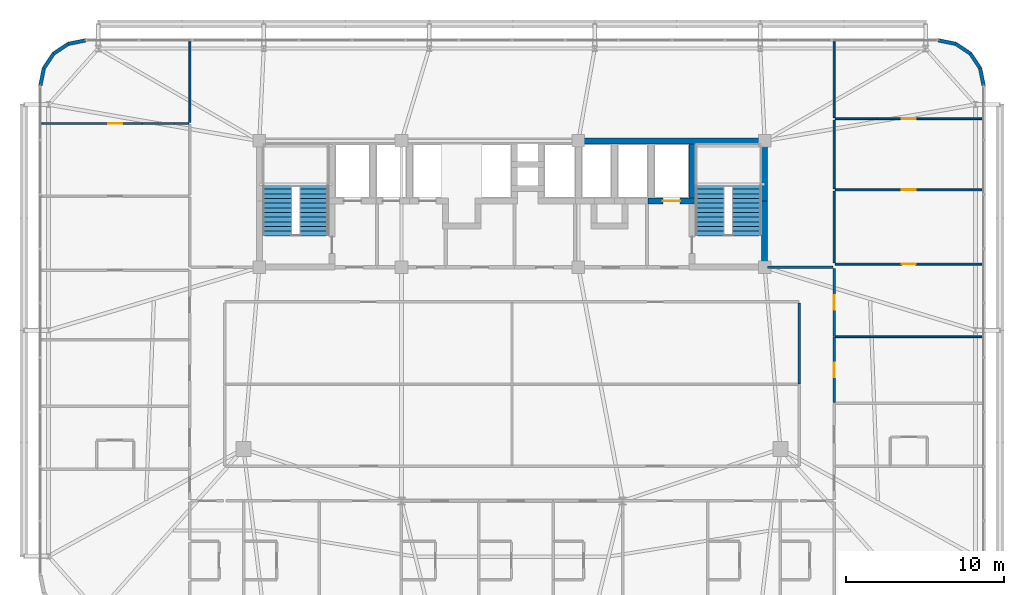
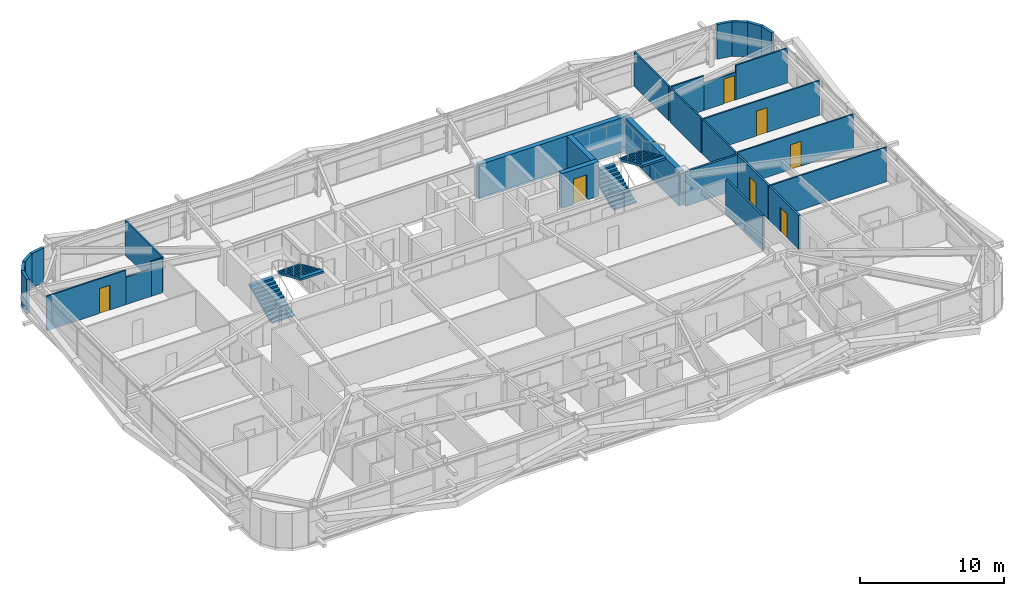
# One storey, part 56 of 59: 30 walls, 7 doors, 4 stair flights, 7 openings, 2 elements without a shape of their own.
"""IFC4 building model written with IfcOpenShell, lengths in metres."""

from ifc_helpers import new_model, si_unit, direction, frame, frame_2d, origin, place, context, subcontext, project, spatial, polyline, rectangle, outline, extrude, source, transform, mapped, material, layer, layer_set, type_object, element, fill, aggregate, save


model = new_model("IFC4")

# Units and contexts
model_context = context("Model", 3, precision=1e-05, world=origin(), true_north=direction((0.0, 1.0)))
body_context = subcontext(model_context, "Body", "Model", "MODEL_VIEW")
ifc_project = project(units=[si_unit("LENGTHUNIT", "METRE"), si_unit("AREAUNIT", "SQUARE_METRE"), si_unit("VOLUMEUNIT", "CUBIC_METRE"), si_unit("PLANEANGLEUNIT", "RADIAN"), si_unit("MASSUNIT", "GRAM", prefix="KILO")], contexts=[model_context])

# Site, building, storey
site_placement = place(None, origin())
site = spatial("IfcSite", under=ifc_project, at=site_placement, CompositionType="ELEMENT")
building_placement = place(site_placement, origin())
building = spatial("IfcBuilding", under=site, at=building_placement, Name="Taldren Reach Tower", CompositionType="ELEMENT")
storey_placement = place(building_placement, frame((0.0, 0.0, 19.949951171875)))
storey = spatial("IfcBuildingStorey", under=building, at=storey_placement, Name="L05", CompositionType="ELEMENT", Elevation=19.949951171875)

# Walls
ifc_material_1 = material(Name="Pale Champagne Anodised Aluminium Cladding", Category="aluminium")
ifc_layer_1 = layer(ifc_material_1, 0.04, Name="Pale Champagne Anodised Aluminium Cladding", Category="aluminium")
ifc_material_2 = material(Name="Mineral Wool Acoustic Insulation", Category="insulation")
ifc_layer_2 = layer(ifc_material_2, 0.06, Name="Mineral Wool Acoustic Insulation", Category="insulation")
ifc_material_3 = material(Name="Steel Gr 350 (C350L0)", Category="steel")
ifc_layer_3 = layer(ifc_material_3, 0.12, Name="Steel Gr 350 (C350L0)", Category="steel")
ifc_layer_set_1 = layer_set([ifc_layer_1, ifc_layer_2, ifc_layer_3], Name="Pale Champagne Aluminium Cladding and Steel Gr 350 Stud Framing")
wall_type_1 = type_object("IfcWallType", Name="EW-CRN-220", PredefinedType="SOLIDWALL", material=ifc_layer_set_1)
shared_shape_1 = source(origin(), body_context, "Body", "SweptSolid", [
    extrude(rectangle(XDim=1.115966796875, YDim=0.219970703125, at=frame_2d((0.55810546875, 0.0))), origin(), (0.0, 0.0, 1.0), 2.929931640625),
])
for number, where, z_axis, x_axis, name in (
    (1, (64.860107421875, 35.5, 0.0), (0.0, 0.0, 1.0), (-0.195148375659, 0.98077373103, 0.0), "Rounded-corner pale-metal facade wall L05-NE1"),
    (2, (64.642333984375, 36.594482421875, 0.0), (0.0, 0.0, 1.0), (-0.555709556774, 0.83137650226, 0.0), "Rounded-corner pale-metal facade wall L05-NE2"),
    (3, (64.022216796875, 37.522216796875, 0.0), (0.0, 0.0, 1.0), (-0.83137650226, 0.555709556774, 0.0), "Rounded-corner pale-metal facade wall L05-NE3"),
    (4, (63.094482421875, 38.142333984375, 0.0), (0.0, 0.0, 1.0), (-0.98077373103, 0.195148375659, 0.0), "Rounded-corner pale-metal facade wall L05-NE4"),
    (5, (8.0, 38.360107421875, 0.0), (0.0, 0.0, 1.0), (-0.98077373103, -0.195148375659, 0.0), "Rounded-corner pale-metal facade wall L05-NW1"),
    (6, (6.905517578125, 38.142333984375, 0.0), (0.0, 0.0, 1.0), (-0.83137650226, -0.555709556774, 0.0), "Rounded-corner pale-metal facade wall L05-NW2"),
    (7, (5.977783203125, 37.522216796875, 0.0), (0.0, 0.0, 1.0), (-0.555709556774, -0.83137650226, 0.0), "Rounded-corner pale-metal facade wall L05-NW3"),
    (8, (5.357666015625, 36.594482421875, 0.0), (0.0, 0.0, 1.0), (-0.195148375659, -0.98077373103, 0.0), "Rounded-corner pale-metal facade wall L05-NW4"),
):
    element("IfcWall", number, at=place(storey_placement, frame(where, z_axis=z_axis, x_axis=x_axis)), inside=storey, type_object=wall_type_1, Name=name, PredefinedType="SOLIDWALL", context=body_context, shape_type="MappedRepresentation", body=[
        mapped(shared_shape_1, transform((0.0, 0.0, 0.0), scale=1.0)),
    ])
ifc_material_4 = material(Name="Concrete S80 (80 MPa)", Category="concrete")
ifc_layer_4 = layer(ifc_material_4, 0.3798828125)
ifc_layer_set_2 = layer_set([ifc_layer_4], Name="Concrete S80 (80 MPa)")
wall_type_2 = type_object("IfcWallType", Name="IW-CORE-380", PredefinedType="SHEAR", material=ifc_layer_set_2)
shared_shape_2 = source(origin(), body_context, "Body", "SweptSolid", [
    extrude(rectangle(XDim=11.989990234375, YDim=0.3798828125, at=frame_2d((5.9951171875, 0.0))), origin(), (0.0, 0.0, 1.0), 2.929931640625),
])
wall_1_placement = place(storey_placement, frame((39.199951171875, 32.0, 0.0), z_axis=(0.0, 0.0, 1.0), x_axis=(1.0, 0.0, 0.0)))
element("IfcWall", 9, at=wall_1_placement, inside=storey, type_object=wall_type_2, Name="Rear Core Shear Wall W-CORE-L05-NORTH3", PredefinedType="SHEAR", context=body_context, shape_type="MappedRepresentation", body=[
    mapped(shared_shape_2, transform((0.0, 0.0, 0.0), scale=1.0)),
])
shared_shape_3 = source(origin(), body_context, "Body", "SweptSolid", [
    extrude(rectangle(XDim=4.010009765625, YDim=0.3798828125, at=frame_2d((2.0048828125, 0.0))), origin(), (0.0, 0.0, 1.0), 2.929931640625),
])
wall_2_placement = place(storey_placement, frame((51.0, 24.18994140625, 0.0), z_axis=(0.0, 0.0, 1.0), x_axis=(0.0, 1.0, 0.0)))
element("IfcWall", 10, at=wall_2_placement, inside=storey, type_object=wall_type_2, Name="Rear Core Shear Wall W-CORE-L05-EAST1", PredefinedType="SHEAR", context=body_context, shape_type="MappedRepresentation", body=[
    mapped(shared_shape_3, transform((0.0, 0.0, 0.0), scale=1.0)),
])
shared_shape_4 = source(origin(), body_context, "Body", "SweptSolid", [
    extrude(rectangle(XDim=3.610107421875, YDim=0.3798828125, at=frame_2d((1.80517578125, 0.0))), origin(), (0.0, 0.0, 1.0), 2.929931640625),
])
wall_3_placement = place(storey_placement, frame((51.0, 28.199951171875, 0.0), z_axis=(0.0, 0.0, 1.0), x_axis=(0.0, 1.0, 0.0)))
element("IfcWall", 11, at=wall_3_placement, inside=storey, type_object=wall_type_2, Name="Rear Core Shear Wall W-CORE-L05-EAST2", PredefinedType="SHEAR", context=body_context, shape_type="MappedRepresentation", body=[
    mapped(shared_shape_4, transform((0.0, 0.0, 0.0), scale=1.0)),
])
shared_shape_5 = source(origin(), body_context, "Body", "SweptSolid", [
    extrude(rectangle(XDim=3.420166015625, YDim=0.3798828125, at=frame_2d((1.7099609375, 0.0))), origin(), (0.0, 0.0, 1.0), 2.929931640625),
])
wall_4_placement = place(storey_placement, frame((46.39990234375, 31.81005859375, 0.0), z_axis=(0.0, 0.0, 1.0), x_axis=(0.0, -1.0, 0.0)))
element("IfcWall", 12, at=wall_4_placement, inside=storey, type_object=wall_type_2, Name="Rear Core Shear Wall W-INT-L05-008", PredefinedType="SHEAR", context=body_context, shape_type="MappedRepresentation", body=[
    mapped(shared_shape_5, transform((0.0, 0.0, 0.0), scale=1.0)),
])

# Wall, opening, door
shared_shape_6 = source(origin(), body_context, "Body", "SweptSolid", [
    extrude(rectangle(XDim=2.97998046875, YDim=0.3798828125, at=frame_2d((1.489990234375, 0.0))), origin(), (0.0, 0.0, 1.0), 2.929931640625),
])
wall_5_placement = place(storey_placement, frame((43.610107421875, 28.199951171875, 0.0), z_axis=(0.0, 0.0, 1.0), x_axis=(1.0, 0.0, 0.0)))
wall_5 = element("IfcWall", 13, at=wall_5_placement, inside=storey, type_object=wall_type_2, Name="Rear Core Shear Wall W-INT-L05-011", PredefinedType="SHEAR", context=body_context, shape_type="MappedRepresentation", body=[
    mapped(shared_shape_6, transform((0.0, 0.0, 0.0), scale=1.0)),
])
shared_shape_7 = source(origin(), body_context, "Body", "SweptSolid", [
    extrude(rectangle(XDim=1.10009765625, YDim=2.14990234375, at=frame_2d((0.550048828125, 1.074951171875))), frame((0.0, 0.199951171875, 0.0), z_axis=(0.0, -1.0, 0.0), x_axis=(1.0, 0.0, 0.0)), (0.0, 0.0, 1.0), 0.39990234375),
])
opening_1_placement = place(wall_5_placement, frame((0.93994140625, 0.0, 0.0)))
opening_1 = element("IfcOpeningElement", 14, at=opening_1_placement, cuts=wall_5, Name="Opening LD-FL2", PredefinedType="OPENING", context=body_context, shape_type="MappedRepresentation", body=[
    mapped(shared_shape_7, transform((0.0, 0.0, 0.0), scale=1.0)),
])
ifc_material_5 = material(Name="Stainless Steel Gr 316 Emergency Lift Landing Door", Category="steel")
door_type_1 = type_object("IfcDoorType", Name="LD-EMG-110", OperationType="SLIDING_TO_LEFT", PredefinedType="DOOR", material=ifc_material_5)
shared_shape_8 = source(origin(), body_context, "Body", "SweptSolid", [
    extrude(rectangle(XDim=1.10009765625, YDim=2.14990234375, at=frame_2d((0.550048828125, 1.074951171875))), frame((0.0, 0.02490234375, 0.0), z_axis=(0.0, -1.0, 0.0), x_axis=(1.0, 0.0, 0.0)), (0.0, 0.0, 1.0), 0.050048828125),
])
door_1_placement = place(opening_1_placement, origin())
door_1 = element("IfcDoor", 15, at=door_1_placement, inside=storey, type_object=door_type_1, Name="Lift Landing Door LD-FL2-L05", OperationType="SLIDING_TO_LEFT", OverallHeight=2.14990234375, OverallWidth=1.10009765625, PredefinedType="DOOR", context=body_context, shape_type="MappedRepresentation", body=[
    mapped(shared_shape_8, transform((0.0, 0.0, 0.0), scale=1.0)),
])
fill(opening_1, door_1)

# Walls
ifc_material_6 = material(Name="Fire-Rated Acoustic Plasterboard Stud Wall", Category="gypsum")
ifc_layer_5 = layer(ifc_material_6, 0.159912109375)
ifc_layer_set_3 = layer_set([ifc_layer_5], Name="Fire-Rated Acoustic Plasterboard Stud Wall")
wall_type_3 = type_object("IfcWallType", Name="IW-FIRE-160", PredefinedType="PARTITIONING", material=ifc_layer_set_3)
shared_shape_9 = source(origin(), body_context, "Body", "SweptSolid", [
    extrude(rectangle(XDim=4.130126953125, YDim=0.159912109375, at=frame_2d((2.06494140625, 0.0))), origin(), (0.0, 0.0, 1.0), 2.929931640625),
])
wall_6_placement = place(storey_placement, frame((51.18994140625, 24.0, 0.0), z_axis=(0.0, 0.0, 1.0), x_axis=(1.0, 0.0, 0.0)))
element("IfcWall", 16, at=wall_6_placement, inside=storey, type_object=wall_type_3, Name="Interior Partition Wall W-INT-L05-064", PredefinedType="PARTITIONING", context=body_context, shape_type="MappedRepresentation", body=[
    mapped(shared_shape_9, transform((0.0, 0.0, 0.0), scale=1.0)),
])
shared_shape_10 = source(origin(), body_context, "Body", "SweptSolid", [
    extrude(rectangle(XDim=5.099853515625, YDim=0.159912109375, at=frame_2d((2.5498046875, 0.0))), origin(), (0.0, 0.0, 1.0), 2.929931640625),
])
wall_7_placement = place(storey_placement, frame((53.199951171875, 16.6201171875, 0.0), z_axis=(0.0, 0.0, 1.0), x_axis=(0.0, 1.0, 0.0)))
element("IfcWall", 17, at=wall_7_placement, inside=storey, type_object=wall_type_3, Name="Interior Partition Wall W-INT-L05-052", PredefinedType="PARTITIONING", context=body_context, shape_type="MappedRepresentation", body=[
    mapped(shared_shape_10, transform((0.0, 0.0, 0.0), scale=1.0)),
])

# Wall, opening, door
shared_shape_11 = source(origin(), body_context, "Body", "SweptSolid", [
    extrude(rectangle(XDim=4.15966796875, YDim=0.159912109375, at=frame_2d((2.079833984375, 0.0))), origin(), (0.0, 0.0, 1.0), 2.929931640625),
])
wall_8_placement = place(storey_placement, frame((55.39990234375, 19.579833984375, 0.0), z_axis=(0.0, 0.0, 1.0), x_axis=(0.0, -1.0, 0.0)))
wall_8 = element("IfcWall", 18, at=wall_8_placement, inside=storey, type_object=wall_type_3, Name="Interior Partition Wall W-INT-L05-061", PredefinedType="PARTITIONING", context=body_context, shape_type="MappedRepresentation", body=[
    mapped(shared_shape_11, transform((0.0, 0.0, 0.0), scale=1.0)),
])
shared_shape_12 = source(origin(), body_context, "Body", "SweptSolid", [
    extrude(rectangle(XDim=0.919921875, YDim=2.10009765625, at=frame_2d((0.4599609375, 1.050048828125))), frame((0.0, 0.08984375, 0.0), z_axis=(0.0, -1.0, 0.0), x_axis=(1.0, 0.0, 0.0)), (0.0, 0.0, 1.0), 0.179931640625),
])
opening_2_placement = place(wall_8_placement, frame((1.619873046875, 0.0, 0.0)))
opening_2 = element("IfcOpeningElement", 19, at=opening_2_placement, cuts=wall_8, Name="Opening DI-092", PredefinedType="OPENING", context=body_context, shape_type="MappedRepresentation", body=[
    mapped(shared_shape_12, transform((0.0, 0.0, 0.0), scale=1.0)),
])
ifc_material_7 = material(Name="Solid-Core Timber Suite Door", Category="wood")
door_type_2 = type_object("IfcDoorType", Name="ID-INT-092", OperationType="NOTDEFINED", PredefinedType="DOOR", material=ifc_material_7)
shared_shape_13 = source(origin(), body_context, "Body", "SweptSolid", [
    extrude(rectangle(XDim=0.919921875, YDim=2.10009765625, at=frame_2d((0.4599609375, 1.050048828125))), frame((0.0, 0.02490234375, 0.0), z_axis=(0.0, -1.0, 0.0), x_axis=(1.0, 0.0, 0.0)), (0.0, 0.0, 1.0), 0.050048828125),
])
door_2_placement = place(opening_2_placement, origin())
door_2 = element("IfcDoor", 20, at=door_2_placement, inside=storey, type_object=door_type_2, Name="Interior Door DR-L05-019", OperationType="SINGLE_SWING_RIGHT", OverallHeight=2.10009765625, OverallWidth=0.919921875, PredefinedType="DOOR", context=body_context, shape_type="MappedRepresentation", body=[
    mapped(shared_shape_13, transform((0.0, 0.0, 0.0), scale=1.0)),
])
fill(opening_2, door_2)

shared_shape_14 = source(origin(), body_context, "Body", "SweptSolid", [
    extrude(rectangle(XDim=4.2998046875, YDim=0.159912109375, at=frame_2d((2.14990234375, 0.0))), origin(), (0.0, 0.0, 1.0), 2.929931640625),
])
wall_9_placement = place(storey_placement, frame((55.39990234375, 23.919921875, 0.0), z_axis=(0.0, 0.0, 1.0), x_axis=(0.0, -1.0, 0.0)))
wall_9 = element("IfcWall", 21, at=wall_9_placement, inside=storey, type_object=wall_type_3, Name="Interior Partition Wall W-INT-L05-062", PredefinedType="PARTITIONING", context=body_context, shape_type="MappedRepresentation", body=[
    mapped(shared_shape_14, transform((0.0, 0.0, 0.0), scale=1.0)),
])
opening_3_placement = place(wall_9_placement, frame((1.68994140625, 0.0, 0.0)))
opening_3 = element("IfcOpeningElement", 22, at=opening_3_placement, cuts=wall_9, Name="Opening DI-092", PredefinedType="OPENING", context=body_context, shape_type="MappedRepresentation", body=[
    mapped(shared_shape_12, transform((0.0, 0.0, 0.0), scale=1.0)),
])
door_3_placement = place(opening_3_placement, origin())
door_3 = element("IfcDoor", 23, at=door_3_placement, inside=storey, type_object=door_type_2, Name="Interior Door DR-L05-020", OperationType="SINGLE_SWING_LEFT", OverallHeight=2.10009765625, OverallWidth=0.919921875, PredefinedType="DOOR", context=body_context, shape_type="MappedRepresentation", body=[
    mapped(shared_shape_13, transform((0.0, 0.0, 0.0), scale=1.0)),
])
fill(opening_3, door_3)

# Wall
ifc_material_8 = material(Name="Insulated Residential Stud Partition", Category="gypsum")
ifc_layer_6 = layer(ifc_material_8, 0.1201171875)
ifc_layer_set_4 = layer_set([ifc_layer_6], Name="Insulated Residential Stud Partition")
wall_type_4 = type_object("IfcWallType", Name="IW-PART-120", PredefinedType="PARTITIONING", material=ifc_layer_set_4)
shared_shape_15 = source(origin(), body_context, "Body", "SweptSolid", [
    extrude(rectangle(XDim=9.2900390625, YDim=0.1201171875, at=frame_2d((4.64501953125, 0.0))), origin(), (0.0, 0.0, 1.0), 2.929931640625),
])
wall_10_placement = place(storey_placement, frame((55.47998046875, 19.60009765625, 0.0), z_axis=(0.0, 0.0, 1.0), x_axis=(1.0, 0.0, 0.0)))
element("IfcWall", 24, at=wall_10_placement, inside=storey, type_object=wall_type_4, Name="Interior Partition Wall W-INT-L05-146", PredefinedType="PARTITIONING", context=body_context, shape_type="MappedRepresentation", body=[
    mapped(shared_shape_15, transform((0.0, 0.0, 0.0), scale=1.0)),
])

# Wall, opening, door
wall_11_placement = place(storey_placement, frame((55.47998046875, 24.199951171875, 0.0), z_axis=(0.0, 0.0, 1.0), x_axis=(1.0, 0.0, 0.0)))
wall_11 = element("IfcWall", 25, at=wall_11_placement, inside=storey, type_object=wall_type_4, Name="Interior Partition Wall W-INT-L05-147", PredefinedType="PARTITIONING", context=body_context, shape_type="MappedRepresentation", body=[
    mapped(shared_shape_15, transform((0.0, 0.0, 0.0), scale=1.0)),
])
shared_shape_16 = source(origin(), body_context, "Body", "SweptSolid", [
    extrude(rectangle(XDim=0.860107421875, YDim=2.10009765625, at=frame_2d((0.43017578125, 1.050048828125))), frame((0.0, 0.070068359375, 0.0), z_axis=(0.0, -1.0, 0.0), x_axis=(1.0, 0.0, 0.0)), (0.0, 0.0, 1.0), 0.14013671875),
])
opening_4_placement = place(wall_11_placement, frame((4.215087890625, 0.0, 0.0)))
opening_4 = element("IfcOpeningElement", 26, at=opening_4_placement, cuts=wall_11, Name="Opening DI-086", PredefinedType="OPENING", context=body_context, shape_type="MappedRepresentation", body=[
    mapped(shared_shape_16, transform((0.0, 0.0, 0.0), scale=1.0)),
])
ifc_material_9 = material(Name="Timber Bathroom Door", Category="wood")
door_type_3 = type_object("IfcDoorType", Name="ID-INT-086", OperationType="NOTDEFINED", PredefinedType="DOOR", material=ifc_material_9)
shared_shape_17 = source(origin(), body_context, "Body", "SweptSolid", [
    extrude(rectangle(XDim=0.860107421875, YDim=2.10009765625, at=frame_2d((0.43017578125, 1.050048828125))), frame((0.0, 0.02490234375, 0.0), z_axis=(0.0, -1.0, 0.0), x_axis=(1.0, 0.0, 0.0)), (0.0, 0.0, 1.0), 0.050048828125),
])
door_4_placement = place(opening_4_placement, frame((0.860107421875, 0.0, 0.0), z_axis=(0.0, 0.0, 1.0), x_axis=(-1.0, 0.0, 0.0)))
door_4 = element("IfcDoor", 27, at=door_4_placement, inside=storey, type_object=door_type_3, Name="Interior Door DR-L05-043", OperationType="SINGLE_SWING_LEFT", OverallHeight=2.10009765625, OverallWidth=0.860107421875, PredefinedType="DOOR", context=body_context, shape_type="MappedRepresentation", body=[
    mapped(shared_shape_17, transform((0.0, 0.0, 0.0), scale=1.0)),
])
fill(opening_4, door_4)

wall_12_placement = place(storey_placement, frame((55.47998046875, 28.89990234375, 0.0), z_axis=(0.0, 0.0, 1.0), x_axis=(1.0, 0.0, 0.0)))
wall_12 = element("IfcWall", 28, at=wall_12_placement, inside=storey, type_object=wall_type_4, Name="Interior Partition Wall W-INT-L05-148", PredefinedType="PARTITIONING", context=body_context, shape_type="MappedRepresentation", body=[
    mapped(shared_shape_15, transform((0.0, 0.0, 0.0), scale=1.0)),
])
opening_5_placement = place(wall_12_placement, frame((4.215087890625, 0.0, 0.0)))
opening_5 = element("IfcOpeningElement", 29, at=opening_5_placement, cuts=wall_12, Name="Opening DI-086", PredefinedType="OPENING", context=body_context, shape_type="MappedRepresentation", body=[
    mapped(shared_shape_16, transform((0.0, 0.0, 0.0), scale=1.0)),
])
door_5_placement = place(opening_5_placement, origin())
door_5 = element("IfcDoor", 30, at=door_5_placement, inside=storey, type_object=door_type_3, Name="Interior Door DR-L05-044", OperationType="SINGLE_SWING_LEFT", OverallHeight=2.10009765625, OverallWidth=0.860107421875, PredefinedType="DOOR", context=body_context, shape_type="MappedRepresentation", body=[
    mapped(shared_shape_17, transform((0.0, 0.0, 0.0), scale=1.0)),
])
fill(opening_5, door_5)

shared_shape_18 = source(origin(), body_context, "Body", "SweptSolid", [
    extrude(rectangle(XDim=6.365478515625, YDim=0.1201171875, at=frame_2d((3.1826171875, 0.0))), origin(), (0.0, 0.0, 1.0), 2.929931640625),
])
wall_13_placement = place(storey_placement, frame((5.22998046875, 33.10009765625, 0.0), z_axis=(0.0, 0.0, 1.0), x_axis=(1.0, 0.0, 0.0)))
wall_13 = element("IfcWall", 31, at=wall_13_placement, inside=storey, type_object=wall_type_4, Name="Interior Partition Wall W-INT-L05-136", PredefinedType="PARTITIONING", context=body_context, shape_type="MappedRepresentation", body=[
    mapped(shared_shape_18, transform((0.0, 0.0, 0.0), scale=1.0)),
])
opening_6_placement = place(wall_13_placement, frame((4.215087890625, 0.0, 0.0)))
opening_6 = element("IfcOpeningElement", 32, at=opening_6_placement, cuts=wall_13, Name="Opening DI-086", PredefinedType="OPENING", context=body_context, shape_type="MappedRepresentation", body=[
    mapped(shared_shape_16, transform((0.0, 0.0, 0.0), scale=1.0)),
])
door_6_placement = place(opening_6_placement, frame((0.860107421875, 0.0, 0.0), z_axis=(0.0, 0.0, 1.0), x_axis=(-1.0, 0.0, 0.0)))
door_6 = element("IfcDoor", 33, at=door_6_placement, inside=storey, type_object=door_type_3, Name="Interior Door DR-L05-042", OperationType="SINGLE_SWING_RIGHT", OverallHeight=2.10009765625, OverallWidth=0.860107421875, PredefinedType="DOOR", context=body_context, shape_type="MappedRepresentation", body=[
    mapped(shared_shape_17, transform((0.0, 0.0, 0.0), scale=1.0)),
])
fill(opening_6, door_6)

# Walls
shared_shape_19 = source(origin(), body_context, "Body", "SweptSolid", [
    extrude(rectangle(XDim=2.03955078125, YDim=0.1201171875, at=frame_2d((1.019775390625, 0.0))), origin(), (0.0, 0.0, 1.0), 2.328125),
])
wall_14_placement = place(storey_placement, frame((11.595458984375, 33.10009765625, 0.0), z_axis=(0.0, 0.0, 1.0), x_axis=(1.0, 0.0, 0.0)))
element("IfcWall", 34, at=wall_14_placement, inside=storey, type_object=wall_type_4, Name="Interior Partition Wall W-INT-L05-136 part 2", PredefinedType="PARTITIONING", context=body_context, shape_type="MappedRepresentation", body=[
    mapped(shared_shape_19, transform((0.0, 0.0, 0.0), scale=1.0)),
])
shared_shape_20 = source(origin(), body_context, "Body", "SweptSolid", [
    extrude(rectangle(XDim=0.885009765625, YDim=0.1201171875, at=frame_2d((0.4423828125, 0.0))), origin(), (0.0, 0.0, 1.0), 2.929931640625),
])
wall_15_placement = place(storey_placement, frame((13.635009765625, 33.10009765625, 0.0), z_axis=(0.0, 0.0, 1.0), x_axis=(1.0, 0.0, 0.0)))
element("IfcWall", 35, at=wall_15_placement, inside=storey, type_object=wall_type_4, Name="Interior Partition Wall W-INT-L05-136 part 3", PredefinedType="PARTITIONING", context=body_context, shape_type="MappedRepresentation", body=[
    mapped(shared_shape_20, transform((0.0, 0.0, 0.0), scale=1.0)),
])
shared_shape_21 = source(origin(), body_context, "Body", "SweptSolid", [
    extrude(rectangle(XDim=5.090087890625, YDim=0.1201171875, at=frame_2d((2.544921875, 0.0))), origin(), (0.0, 0.0, 1.0), 2.929931640625),
])
wall_16_placement = place(storey_placement, frame((14.60009765625, 38.27001953125, 0.0), z_axis=(0.0, 0.0, 1.0), x_axis=(0.0, -1.0, 0.0)))
element("IfcWall", 36, at=wall_16_placement, inside=storey, type_object=wall_type_4, Name="Interior Partition Wall W-INT-L05-138", PredefinedType="PARTITIONING", context=body_context, shape_type="MappedRepresentation", body=[
    mapped(shared_shape_21, transform((0.0, 0.0, 0.0), scale=1.0)),
])
shared_shape_22 = source(origin(), body_context, "Body", "SweptSolid", [
    extrude(rectangle(XDim=4.5400390625, YDim=0.1201171875, at=frame_2d((2.27001953125, 0.0))), origin(), (0.0, 0.0, 1.0), 2.929931640625),
])
wall_17_placement = place(storey_placement, frame((55.39990234375, 24.280029296875, 0.0), z_axis=(0.0, 0.0, 1.0), x_axis=(0.0, 1.0, 0.0)))
element("IfcWall", 37, at=wall_17_placement, inside=storey, type_object=wall_type_4, Name="Interior Partition Wall W-INT-L05-149", PredefinedType="PARTITIONING", context=body_context, shape_type="MappedRepresentation", body=[
    mapped(shared_shape_22, transform((0.0, 0.0, 0.0), scale=1.0)),
])
shared_shape_23 = source(origin(), body_context, "Body", "SweptSolid", [
    extrude(rectangle(XDim=2.62646484375, YDim=0.1201171875, at=frame_2d((1.313232421875, 0.0))), origin(), (0.0, 0.0, 1.0), 2.929931640625),
])
wall_18_placement = place(storey_placement, frame((55.47998046875, 33.39990234375, 0.0), z_axis=(0.0, 0.0, 1.0), x_axis=(1.0, 0.0, 0.0)))
element("IfcWall", 38, at=wall_18_placement, inside=storey, type_object=wall_type_4, Name="Interior Partition Wall W-INT-L05-150", PredefinedType="PARTITIONING", context=body_context, shape_type="MappedRepresentation", body=[
    mapped(shared_shape_23, transform((0.0, 0.0, 0.0), scale=1.0)),
])

# Wall, opening, door
shared_shape_24 = source(origin(), body_context, "Body", "SweptSolid", [
    extrude(rectangle(XDim=2.548583984375, YDim=0.1201171875, at=frame_2d((1.2744140625, 0.0))), origin(), (0.0, 0.0, 1.0), 2.328125),
])
wall_19_placement = place(storey_placement, frame((58.1064453125, 33.39990234375, 0.0), z_axis=(0.0, 0.0, 1.0), x_axis=(1.0, 0.0, 0.0)))
wall_19 = element("IfcWall", 39, at=wall_19_placement, inside=storey, type_object=wall_type_4, Name="Interior Partition Wall W-INT-L05-150 part 2", PredefinedType="PARTITIONING", context=body_context, shape_type="MappedRepresentation", body=[
    mapped(shared_shape_24, transform((0.0, 0.0, 0.0), scale=1.0)),
])
opening_7_placement = place(wall_19_placement, frame((1.588623046875, 0.0, 0.0)))
opening_7 = element("IfcOpeningElement", 40, at=opening_7_placement, cuts=wall_19, Name="Opening DI-086", PredefinedType="OPENING", context=body_context, shape_type="MappedRepresentation", body=[
    mapped(shared_shape_16, transform((0.0, 0.0, 0.0), scale=1.0)),
])
door_7_placement = place(opening_7_placement, frame((0.860107421875, 0.0, 0.0), z_axis=(0.0, 0.0, 1.0), x_axis=(-1.0, 0.0, 0.0)))
door_7 = element("IfcDoor", 41, at=door_7_placement, inside=storey, type_object=door_type_3, Name="Interior Door DR-L05-045", OperationType="SINGLE_SWING_LEFT", OverallHeight=2.10009765625, OverallWidth=0.860107421875, PredefinedType="DOOR", context=body_context, shape_type="MappedRepresentation", body=[
    mapped(shared_shape_17, transform((0.0, 0.0, 0.0), scale=1.0)),
])
fill(opening_7, door_7)

# Walls
shared_shape_25 = source(origin(), body_context, "Body", "SweptSolid", [
    extrude(rectangle(XDim=4.114990234375, YDim=0.1201171875, at=frame_2d((2.0576171875, 0.0))), origin(), (0.0, 0.0, 1.0), 2.929931640625),
])
wall_20_placement = place(storey_placement, frame((60.655029296875, 33.39990234375, 0.0), z_axis=(0.0, 0.0, 1.0), x_axis=(1.0, 0.0, 0.0)))
element("IfcWall", 42, at=wall_20_placement, inside=storey, type_object=wall_type_4, Name="Interior Partition Wall W-INT-L05-150 part 3", PredefinedType="PARTITIONING", context=body_context, shape_type="MappedRepresentation", body=[
    mapped(shared_shape_25, transform((0.0, 0.0, 0.0), scale=1.0)),
])
shared_shape_26 = source(origin(), body_context, "Body", "SweptSolid", [
    extrude(rectangle(XDim=4.340087890625, YDim=0.1201171875, at=frame_2d((2.169921875, 0.0))), origin(), (0.0, 0.0, 1.0), 2.929931640625),
])
wall_21_placement = place(storey_placement, frame((55.39990234375, 28.97998046875, 0.0), z_axis=(0.0, 0.0, 1.0), x_axis=(0.0, 1.0, 0.0)))
element("IfcWall", 43, at=wall_21_placement, inside=storey, type_object=wall_type_4, Name="Interior Partition Wall W-INT-L05-151", PredefinedType="PARTITIONING", context=body_context, shape_type="MappedRepresentation", body=[
    mapped(shared_shape_26, transform((0.0, 0.0, 0.0), scale=1.0)),
])
shared_shape_27 = source(origin(), body_context, "Body", "SweptSolid", [
    extrude(rectangle(XDim=4.7900390625, YDim=0.1201171875, at=frame_2d((2.39501953125, 0.0))), origin(), (0.0, 0.0, 1.0), 2.929931640625),
])
wall_22_placement = place(storey_placement, frame((55.39990234375, 33.47998046875, 0.0), z_axis=(0.0, 0.0, 1.0), x_axis=(0.0, 1.0, 0.0)))
element("IfcWall", 44, at=wall_22_placement, inside=storey, type_object=wall_type_4, Name="Interior Partition Wall W-INT-L05-152", PredefinedType="PARTITIONING", context=body_context, shape_type="MappedRepresentation", body=[
    mapped(shared_shape_27, transform((0.0, 0.0, 0.0), scale=1.0)),
])

# Stair, stair flights
ifc_material_10 = material(Name="Concrete S50 (50 MPa)", Category="concrete")
stair_type = type_object("IfcStairType", Name="ST-HT-315", PredefinedType="HALF_TURN_STAIR", material=ifc_material_10)
stair_1_placement = place(storey_placement, origin())
stair_1 = element("IfcStair", 45, at=stair_1_placement, inside=storey, type_object=stair_type, Name="Fire-isolated exit stair ST1 L05", PredefinedType="HALF_TURN_STAIR")
stair_flight_type = type_object("IfcStairFlightType", Name="SF-STR-315", PredefinedType="STRAIGHT", material=ifc_material_10)
stair_flight_1_placement = place(storey_placement, frame((20.139892578125, 25.989990234375, 0.0), z_axis=(0.0, 0.0, 1.0), x_axis=(0.0, 1.0, 0.0)))
stair_flight_1 = element("IfcStairFlight", 46, at=stair_flight_1_placement, type_object=stair_flight_type, Name="ST1 flight 1", NumberOfRisers=12, NumberOfTreads=11, PredefinedType="STRAIGHT", RiserHeight=0.13125, TreadLength=0.295, context=body_context, shape_type="SweptSolid", body=[
    extrude(outline(polyline([(0.0, 0.0), (0.0, 0.13134765625), (0.294921875, 0.13134765625), (0.294921875, 0.262451171875), (0.590087890625, 0.262451171875), (0.590087890625, 0.393798828125), (0.885009765625, 0.393798828125), (0.885009765625, 0.52490234375), (1.179931640625, 0.52490234375), (1.179931640625, 0.65625), (1.47509765625, 0.65625), (1.47509765625, 0.78759765625), (1.77001953125, 0.78759765625), (1.77001953125, 0.918701171875), (2.06494140625, 0.918701171875), (2.06494140625, 1.050048828125), (2.360107421875, 1.050048828125), (2.360107421875, 1.18115234375), (2.655029296875, 1.18115234375), (2.655029296875, 1.3125), (2.949951171875, 1.3125), (2.949951171875, 1.44384765625), (3.2451171875, 1.44384765625), (3.2451171875, 1.574951171875), (3.2451171875, 1.268798828125), (0.393310546875, 0.0), (0.0, 0.0)])), frame((0.0, 0.919921875, 0.0), z_axis=(0.0, -1.0, 0.0), x_axis=(1.0, 0.0, 0.0)), (0.0, 0.0, 1.0), 1.840087890625),
])
stair_flight_2_placement = place(storey_placement, frame((22.4599609375, 29.235107421875, 1.574951171875), z_axis=(0.0, 0.0, 1.0), x_axis=(0.0, -1.0, 0.0)))
stair_flight_2 = element("IfcStairFlight", 47, at=stair_flight_2_placement, type_object=stair_flight_type, Name="ST1 flight 2", NumberOfRisers=12, NumberOfTreads=11, PredefinedType="STRAIGHT", RiserHeight=0.13125, TreadLength=0.295, context=body_context, shape_type="SweptSolid", body=[
    extrude(outline(polyline([(0.0, 0.0), (0.0, 0.13134765625), (0.294921875, 0.13134765625), (0.294921875, 0.262451171875), (0.590087890625, 0.262451171875), (0.590087890625, 0.393798828125), (0.885009765625, 0.393798828125), (0.885009765625, 0.52490234375), (1.179931640625, 0.52490234375), (1.179931640625, 0.65625), (1.47509765625, 0.65625), (1.47509765625, 0.78759765625), (1.77001953125, 0.78759765625), (1.77001953125, 0.918701171875), (2.06494140625, 0.918701171875), (2.06494140625, 1.050048828125), (2.360107421875, 1.050048828125), (2.360107421875, 1.18115234375), (2.655029296875, 1.18115234375), (2.655029296875, 1.3125), (2.949951171875, 1.3125), (2.949951171875, 1.44384765625), (3.2451171875, 1.44384765625), (3.2451171875, 1.574951171875), (3.2451171875, 1.268798828125), (0.393310546875, 0.0), (0.0, 0.0)])), frame((0.0, 0.919921875, 0.0), z_axis=(0.0, -1.0, 0.0), x_axis=(1.0, 0.0, 0.0)), (0.0, 0.0, 1.0), 1.840087890625),
])
aggregate(stair_1, [stair_flight_1, stair_flight_2])

stair_2_placement = place(storey_placement, origin())
stair_2 = element("IfcStair", 48, at=stair_2_placement, inside=storey, type_object=stair_type, Name="Fire-isolated exit stair ST2 L05", PredefinedType="HALF_TURN_STAIR")
stair_flight_3_placement = place(storey_placement, frame((47.5400390625, 25.989990234375, 0.0), z_axis=(0.0, 0.0, 1.0), x_axis=(0.0, 1.0, 0.0)))
stair_flight_3 = element("IfcStairFlight", 49, at=stair_flight_3_placement, type_object=stair_flight_type, Name="ST2 flight 1", NumberOfRisers=12, NumberOfTreads=11, PredefinedType="STRAIGHT", RiserHeight=0.13125, TreadLength=0.295, context=body_context, shape_type="SweptSolid", body=[
    extrude(outline(polyline([(0.0, 0.0), (0.0, 0.13134765625), (0.294921875, 0.13134765625), (0.294921875, 0.262451171875), (0.590087890625, 0.262451171875), (0.590087890625, 0.393798828125), (0.885009765625, 0.393798828125), (0.885009765625, 0.52490234375), (1.179931640625, 0.52490234375), (1.179931640625, 0.65625), (1.47509765625, 0.65625), (1.47509765625, 0.78759765625), (1.77001953125, 0.78759765625), (1.77001953125, 0.918701171875), (2.06494140625, 0.918701171875), (2.06494140625, 1.050048828125), (2.360107421875, 1.050048828125), (2.360107421875, 1.18115234375), (2.655029296875, 1.18115234375), (2.655029296875, 1.3125), (2.949951171875, 1.3125), (2.949951171875, 1.44384765625), (3.2451171875, 1.44384765625), (3.2451171875, 1.574951171875), (3.2451171875, 1.268798828125), (0.393310546875, 0.0), (0.0, 0.0)])), frame((0.0, 0.919921875, 0.0), z_axis=(0.0, -1.0, 0.0), x_axis=(1.0, 0.0, 0.0)), (0.0, 0.0, 1.0), 1.840087890625),
])
stair_flight_4_placement = place(storey_placement, frame((49.860107421875, 29.235107421875, 1.574951171875), z_axis=(0.0, 0.0, 1.0), x_axis=(0.0, -1.0, 0.0)))
stair_flight_4 = element("IfcStairFlight", 50, at=stair_flight_4_placement, type_object=stair_flight_type, Name="ST2 flight 2", NumberOfRisers=12, NumberOfTreads=11, PredefinedType="STRAIGHT", RiserHeight=0.13125, TreadLength=0.295, context=body_context, shape_type="SweptSolid", body=[
    extrude(outline(polyline([(0.0, 0.0), (0.0, 0.13134765625), (0.294921875, 0.13134765625), (0.294921875, 0.262451171875), (0.590087890625, 0.262451171875), (0.590087890625, 0.393798828125), (0.885009765625, 0.393798828125), (0.885009765625, 0.52490234375), (1.179931640625, 0.52490234375), (1.179931640625, 0.65625), (1.47509765625, 0.65625), (1.47509765625, 0.78759765625), (1.77001953125, 0.78759765625), (1.77001953125, 0.918701171875), (2.06494140625, 0.918701171875), (2.06494140625, 1.050048828125), (2.360107421875, 1.050048828125), (2.360107421875, 1.18115234375), (2.655029296875, 1.18115234375), (2.655029296875, 1.3125), (2.949951171875, 1.3125), (2.949951171875, 1.44384765625), (3.2451171875, 1.44384765625), (3.2451171875, 1.574951171875), (3.2451171875, 1.268798828125), (0.393310546875, 0.0), (0.0, 0.0)])), frame((0.0, 0.919921875, 0.0), z_axis=(0.0, -1.0, 0.0), x_axis=(1.0, 0.0, 0.0)), (0.0, 0.0, 1.0), 1.840087890625),
])
aggregate(stair_2, [stair_flight_3, stair_flight_4])

save(model, "model.ifc")
